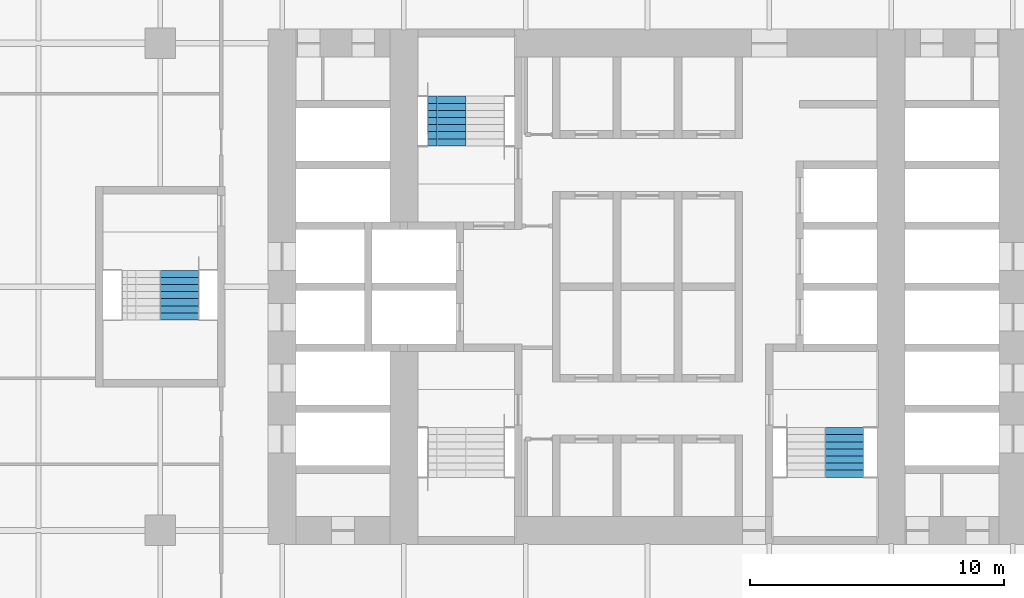
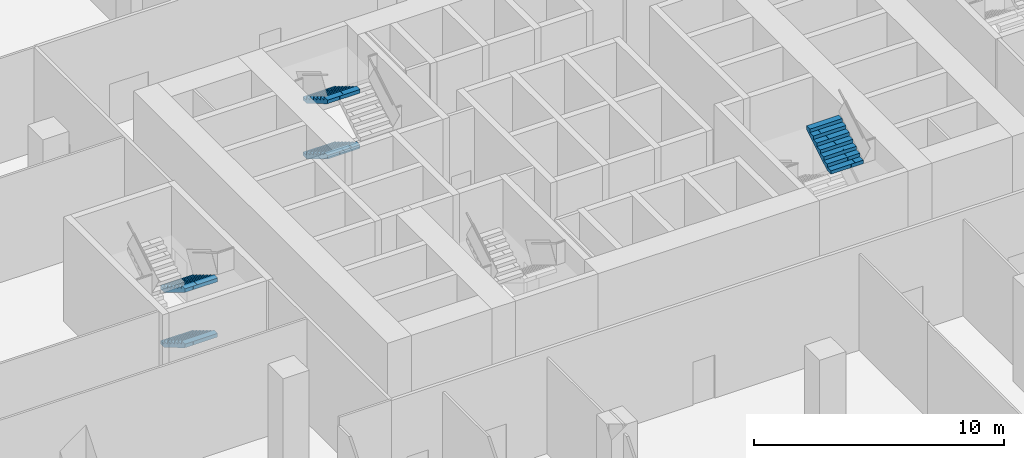
# One storey, part 26 of 34: 5 stair flights, 3 elements without a shape of their own.
"""IFC4 building model written with IfcOpenShell, lengths in metres."""

import ifcopenshell
import ifcopenshell.guid

model = None  # the IFC model being written
_history = None  # IfcOwnerHistory: only IFC2X3 demands one
_inside = {}  # id of a spatial element -> (the spatial element, [elements in it])
_under = {}  # id of a project, library or spatial element -> (it, [spatial elements below it])
_declared = {}  # id of a project -> (the project, [libraries it declares])
_typed = {}  # id of a type object -> (the type object, [elements of that type])
_made_of = {}  # id of a material, layer set ... -> (it, [elements and type objects made of it])


def new_model(schema):
    """Start an empty IFC model of exactly this schema.

    Asked for "IFC4X3", IfcOpenShell would pick the latest addendum, in which some entities
    have other attributes; the version numbers below select the first issue.
    IFC2X3 requires an IfcOwnerHistory on every rooted entity: one is made here for all.
    """
    global model, _history
    if schema == "IFC4X3":
        model = ifcopenshell.file(schema_version=(4, 3, 0, 0))
    else:
        model = ifcopenshell.file(schema=schema)
    _inside.clear()
    _under.clear()
    _declared.clear()
    _typed.clear()
    _made_of.clear()
    _history = None
    if model.schema == "IFC2X3":
        org = make("IfcOrganization", Name="unknown")
        user = make(
            "IfcPersonAndOrganization",
            ThePerson=make("IfcPerson", FamilyName="unknown"),
            TheOrganization=org,
        )
        app = make(
            "IfcApplication",
            ApplicationDeveloper=org,
            Version="unknown",
            ApplicationFullName="unknown",
            ApplicationIdentifier="unknown",
        )
        _history = make(
            "IfcOwnerHistory",
            OwningUser=user,
            OwningApplication=app,
            ChangeAction="ADDED",
            CreationDate=0,
        )
    return model


def make(cls, **values):
    """One entity of the class cls with the attributes given. An attribute that is None is left unset."""
    return model.create_entity(
        cls, **{name: value for name, value in values.items() if value is not None}
    )


def rooted(cls, **values):
    """An entity with a GlobalId (a new one), such as an element, a storey or a relation."""
    return make(cls, GlobalId=ifcopenshell.guid.new(), OwnerHistory=_history, **values)


def si_unit(unit_type, name, prefix=None):
    """IfcSIUnit, for example si_unit("LENGTHUNIT", "METRE", prefix="MILLI")."""
    return make("IfcSIUnit", UnitType=unit_type, Prefix=prefix, Name=name)


def assignment(units):
    """IfcUnitAssignment: the units of a project."""
    return None if units is None else make("IfcUnitAssignment", Units=units)


def point(xyz):
    """IfcCartesianPoint."""
    return None if xyz is None else make("IfcCartesianPoint", Coordinates=xyz)


def direction(xyz):
    """IfcDirection."""
    return None if xyz is None else make("IfcDirection", DirectionRatios=xyz)


def frame(location, z_axis=None, x_axis=None):
    """IfcAxis2Placement3D, a coordinate frame: its origin and axes. An axis left out is left unset."""
    return make(
        "IfcAxis2Placement3D",
        Location=point(location),
        Axis=direction(z_axis),
        RefDirection=direction(x_axis),
    )


def origin():
    """The frame at (0, 0, 0) with its axes left unset."""
    return frame((0.0, 0.0, 0.0))


def place(relative_to, where):
    """IfcLocalPlacement: puts the frame where relative to a parent placement (None: the world)."""
    return make(
        "IfcLocalPlacement", PlacementRelTo=relative_to, RelativePlacement=where
    )


def context(
    kind, dimensions, precision=None, world=None, true_north=None, identifier=None
):
    """IfcGeometricRepresentationContext, for example the 3D "Model" context."""
    return make(
        "IfcGeometricRepresentationContext",
        ContextIdentifier=identifier,
        ContextType=kind,
        CoordinateSpaceDimension=dimensions,
        Precision=precision,
        WorldCoordinateSystem=world,
        TrueNorth=true_north,
    )


def subcontext(parent, identifier, kind, view, scale=None):
    """IfcGeometricRepresentationSubContext, for example "Body" below "Model"."""
    return make(
        "IfcGeometricRepresentationSubContext",
        ContextIdentifier=identifier,
        ContextType=kind,
        ParentContext=parent,
        TargetScale=scale,
        TargetView=view,
    )


def project(units=None, contexts=None):
    """IfcProject with its units and contexts."""
    return rooted(
        "IfcProject",
        Name="project",
        RepresentationContexts=contexts,
        UnitsInContext=assignment(units),
    )


def spatial(cls, under=None, at=None, **own):
    """A site, building, storey or space (cls), placed at a placement, below another one or the project."""
    s = rooted(cls, ObjectPlacement=at, **own)
    if under is not None:
        _under.setdefault(under.id(), (under, []))[1].append(s)
    return s


def polyline(points):
    """IfcPolyline through the points."""
    return make("IfcPolyline", Points=[point(p) for p in points])


def outline(outer, holes=None, kind="AREA"):
    """IfcArbitraryClosedProfileDef: a profile drawn as a closed curve; with holes, ...WithVoids."""
    if holes is None:
        return make("IfcArbitraryClosedProfileDef", ProfileType=kind, OuterCurve=outer)
    return make(
        "IfcArbitraryProfileDefWithVoids",
        ProfileType=kind,
        OuterCurve=outer,
        InnerCurves=holes,
    )


def extrude(swept, where, along, depth):
    """IfcExtrudedAreaSolid: the profile swept, set in the frame where, extruded along a direction by depth."""
    return make(
        "IfcExtrudedAreaSolid",
        SweptArea=swept,
        Position=where,
        ExtrudedDirection=direction(along),
        Depth=depth,
    )


def shape(context_of_items, identifier, shape_type, items):
    """IfcShapeRepresentation: the items that make up one representation, for example the "Body"."""
    return make(
        "IfcShapeRepresentation",
        ContextOfItems=context_of_items,
        RepresentationIdentifier=identifier,
        RepresentationType=shape_type,
        Items=items,
    )


def material(Name=None, Category=None):
    """IfcMaterial."""
    return make("IfcMaterial", Name=Name, Category=Category)


def made_of(thing, what):
    """Note that an element or type object is made of a material, layer set ...; save() writes the relation."""
    if what is not None:
        _made_of.setdefault(what.id(), (what, []))[1].append(thing)
    return thing


def type_object(cls, material=None, **own):
    """A type object (cls), such as IfcWallType, which elements share."""
    return made_of(rooted(cls, **own), material)


def element(
    cls,
    number,
    at=None,
    inside=None,
    cuts=None,
    type_object=None,
    material=None,
    context=None,
    identifier="Body",
    shape_type=None,
    held_by="IfcProductDefinitionShape",
    body=None,
    shapes=None,
    **own,
):
    """One element of the class cls, such as IfcWall. Its Tag is "e" and its number.

    at: its placement. inside: the storey or other place that contains it. cuts: it is an
    opening in that element (IfcRelVoidsElement). A single representation is given by context,
    identifier, shape_type and body (its items); several are given by shapes. held_by: the class
    of the entity that holds the representations. save() writes the other relations.
    """
    e = rooted(cls, Tag="e%d" % number, ObjectPlacement=at, **own)
    if body is not None:
        shapes = [shape(context, identifier, shape_type, body)]
    if shapes is not None:
        e.Representation = make(held_by, Representations=shapes)
    if inside is not None:
        _inside.setdefault(inside.id(), (inside, []))[1].append(e)
    if cuts is not None:
        rooted(
            "IfcRelVoidsElement", RelatingBuildingElement=cuts, RelatedOpeningElement=e
        )
    if type_object is not None:
        _typed.setdefault(type_object.id(), (type_object, []))[1].append(e)
    return made_of(e, material)


def aggregate(whole, parts):
    """IfcRelAggregates: a whole, such as a stair, and the parts it consists of."""
    return rooted("IfcRelAggregates", RelatingObject=whole, RelatedObjects=parts)


def save(model, path):
    """Write the relations noted so far, then the file.

    IfcRelAggregates (storeys below a building ...), IfcRelContainedInSpatialStructure (elements
    in a storey), IfcRelDefinesByType, IfcRelAssociatesMaterial and IfcRelDeclares: one each for
    every whole, place, type object, material and project.
    """
    for whole, parts in _under.values():
        aggregate(whole, parts)
    for where, things in _inside.values():
        rooted(
            "IfcRelContainedInSpatialStructure",
            RelatedElements=things,
            RelatingStructure=where,
        )
    for kind, things in _typed.values():
        rooted("IfcRelDefinesByType", RelatedObjects=things, RelatingType=kind)
    for what, things in _made_of.values():
        rooted("IfcRelAssociatesMaterial", RelatedObjects=things, RelatingMaterial=what)
    for by, libraries in _declared.values():
        rooted("IfcRelDeclares", RelatingContext=by, RelatedDefinitions=libraries)
    model.write(path)


model = new_model("IFC4")

# Units and contexts
model_context = context("Model", 3, precision=1e-05, world=origin(), true_north=direction((0.0, 1.0)))
body_context = subcontext(model_context, "Body", "Model", "MODEL_VIEW")
ifc_project = project(units=[si_unit("LENGTHUNIT", "METRE"), si_unit("AREAUNIT", "SQUARE_METRE"), si_unit("VOLUMEUNIT", "CUBIC_METRE"), si_unit("PLANEANGLEUNIT", "RADIAN"), si_unit("MASSUNIT", "GRAM", prefix="KILO")], contexts=[model_context])

# Site, building, storey
site_placement = place(None, origin())
site = spatial("IfcSite", under=ifc_project, at=site_placement, CompositionType="ELEMENT")
building_placement = place(site_placement, origin())
building = spatial("IfcBuilding", under=site, at=building_placement, Name="Kolab Exchange Tower", CompositionType="ELEMENT")
storey_placement = place(building_placement, frame((0.0, 0.0, 7.0)))
storey = spatial("IfcBuildingStorey", under=building, at=storey_placement, Name="L01", CompositionType="ELEMENT", Elevation=7.0)

# Stair, stair flights
ifc_material = material(Name="Concrete C50/60", Category="concrete")
stair_type_1 = type_object("IfcStairType", Name="STAIR ST1 RISER 168.8", PredefinedType="DOUBLE_RETURN_STAIR", material=ifc_material)
stair_1_placement = place(storey_placement, origin())
stair_1 = element("IfcStair", 1, at=stair_1_placement, inside=storey, type_object=stair_type_1, Name="Stair 1", PredefinedType="DOUBLE_RETURN_STAIR")
stair_flight_type = type_object("IfcStairFlightType", Name="STAIR FLIGHT 1500 RISER 168.8", PredefinedType="STRAIGHT", material=ifc_material)
stair_flight_1_placement = place(storey_placement, frame((-7.909912109375, 7.510009765625, 1.35009765625), z_axis=(0.0, 0.0, 1.0), x_axis=(0.0, -1.0, 0.0)))
stair_flight_1 = element("IfcStairFlight", 2, at=stair_flight_1_placement, type_object=stair_flight_type, Name="ST1 flight 2", NumberOfRisers=8, NumberOfTreads=7, PredefinedType="STRAIGHT", RiserHeight=0.16875, TreadLength=0.28, context=body_context, shape_type="SweptSolid", body=[
    extrude(outline(polyline([(0.0, 0.0), (0.0, 0.168701171875), (0.280029296875, 0.168701171875), (0.280029296875, 0.33740234375), (0.56005859375, 0.33740234375), (0.56005859375, 0.50634765625), (0.840087890625, 0.50634765625), (0.840087890625, 0.675048828125), (1.1201171875, 0.675048828125), (1.1201171875, 0.84375), (1.39990234375, 0.84375), (1.39990234375, 1.012451171875), (1.679931640625, 1.012451171875), (1.679931640625, 1.18115234375), (1.9599609375, 1.18115234375), (1.9599609375, 1.35009765625), (1.9599609375, 1.00634765625), (0.29052734375, 0.0), (0.0, 0.0)])), frame((0.0, 0.75, 0.0), z_axis=(0.0, -1.0, 0.0), x_axis=(1.0, 0.0, 0.0)), (0.0, 0.0, 1.0), 0.185791015625),
    extrude(outline(polyline([(0.0, 0.0), (0.0, 0.168701171875), (0.280029296875, 0.168701171875), (0.280029296875, 0.33740234375), (0.56005859375, 0.33740234375), (0.56005859375, 0.50634765625), (0.840087890625, 0.50634765625), (0.840087890625, 0.675048828125), (1.1201171875, 0.675048828125), (1.1201171875, 0.84375), (1.39990234375, 0.84375), (1.39990234375, 1.012451171875), (1.679931640625, 1.012451171875), (1.679931640625, 1.18115234375), (1.9599609375, 1.18115234375), (1.9599609375, 1.35009765625), (1.9599609375, 1.00634765625), (0.29052734375, 0.0), (0.0, 0.0)])), frame((0.0, 0.562255859375, 0.0), z_axis=(0.0, -1.0, 0.0), x_axis=(1.0, 0.0, 0.0)), (0.0, 0.0, 1.0), 0.185791015625),
    extrude(outline(polyline([(0.0, 0.0), (0.0, 0.168701171875), (0.280029296875, 0.168701171875), (0.280029296875, 0.33740234375), (0.56005859375, 0.33740234375), (0.56005859375, 0.50634765625), (0.840087890625, 0.50634765625), (0.840087890625, 0.675048828125), (1.1201171875, 0.675048828125), (1.1201171875, 0.84375), (1.39990234375, 0.84375), (1.39990234375, 1.012451171875), (1.679931640625, 1.012451171875), (1.679931640625, 1.18115234375), (1.9599609375, 1.18115234375), (1.9599609375, 1.35009765625), (1.9599609375, 1.00634765625), (0.29052734375, 0.0), (0.0, 0.0)])), frame((0.0, 0.37451171875, 0.0), z_axis=(0.0, -1.0, 0.0), x_axis=(1.0, 0.0, 0.0)), (0.0, 0.0, 1.0), 0.185791015625),
    extrude(outline(polyline([(0.0, 0.0), (0.0, 0.168701171875), (0.280029296875, 0.168701171875), (0.280029296875, 0.33740234375), (0.56005859375, 0.33740234375), (0.56005859375, 0.50634765625), (0.840087890625, 0.50634765625), (0.840087890625, 0.675048828125), (1.1201171875, 0.675048828125), (1.1201171875, 0.84375), (1.39990234375, 0.84375), (1.39990234375, 1.012451171875), (1.679931640625, 1.012451171875), (1.679931640625, 1.18115234375), (1.9599609375, 1.18115234375), (1.9599609375, 1.35009765625), (1.9599609375, 1.00634765625), (0.29052734375, 0.0), (0.0, 0.0)])), frame((0.0, 0.186767578125, 0.0), z_axis=(0.0, -1.0, 0.0), x_axis=(1.0, 0.0, 0.0)), (0.0, 0.0, 1.0), 0.185791015625),
    extrude(outline(polyline([(0.0, 0.0), (0.0, 0.168701171875), (0.280029296875, 0.168701171875), (0.280029296875, 0.33740234375), (0.56005859375, 0.33740234375), (0.56005859375, 0.50634765625), (0.840087890625, 0.50634765625), (0.840087890625, 0.675048828125), (1.1201171875, 0.675048828125), (1.1201171875, 0.84375), (1.39990234375, 0.84375), (1.39990234375, 1.012451171875), (1.679931640625, 1.012451171875), (1.679931640625, 1.18115234375), (1.9599609375, 1.18115234375), (1.9599609375, 1.35009765625), (1.9599609375, 1.00634765625), (0.29052734375, 0.0), (0.0, 0.0)])), frame((0.0, -0.0009765625, 0.0), z_axis=(0.0, -1.0, 0.0), x_axis=(1.0, 0.0, 0.0)), (0.0, 0.0, 1.0), 0.185791015625),
    extrude(outline(polyline([(0.0, 0.0), (0.0, 0.168701171875), (0.280029296875, 0.168701171875), (0.280029296875, 0.33740234375), (0.56005859375, 0.33740234375), (0.56005859375, 0.50634765625), (0.840087890625, 0.50634765625), (0.840087890625, 0.675048828125), (1.1201171875, 0.675048828125), (1.1201171875, 0.84375), (1.39990234375, 0.84375), (1.39990234375, 1.012451171875), (1.679931640625, 1.012451171875), (1.679931640625, 1.18115234375), (1.9599609375, 1.18115234375), (1.9599609375, 1.35009765625), (1.9599609375, 1.00634765625), (0.29052734375, 0.0), (0.0, 0.0)])), frame((0.0, -0.188720703125, 0.0), z_axis=(0.0, -1.0, 0.0), x_axis=(1.0, 0.0, 0.0)), (0.0, 0.0, 1.0), 0.185791015625),
    extrude(outline(polyline([(0.0, 0.0), (0.0, 0.168701171875), (0.280029296875, 0.168701171875), (0.280029296875, 0.33740234375), (0.56005859375, 0.33740234375), (0.56005859375, 0.50634765625), (0.840087890625, 0.50634765625), (0.840087890625, 0.675048828125), (1.1201171875, 0.675048828125), (1.1201171875, 0.84375), (1.39990234375, 0.84375), (1.39990234375, 1.012451171875), (1.679931640625, 1.012451171875), (1.679931640625, 1.18115234375), (1.9599609375, 1.18115234375), (1.9599609375, 1.35009765625), (1.9599609375, 1.00634765625), (0.29052734375, 0.0), (0.0, 0.0)])), frame((0.0, -0.37646484375, 0.0), z_axis=(0.0, -1.0, 0.0), x_axis=(1.0, 0.0, 0.0)), (0.0, 0.0, 1.0), 0.185791015625),
    extrude(outline(polyline([(0.0, 0.0), (0.0, 0.168701171875), (0.280029296875, 0.168701171875), (0.280029296875, 0.33740234375), (0.56005859375, 0.33740234375), (0.56005859375, 0.50634765625), (0.840087890625, 0.50634765625), (0.840087890625, 0.675048828125), (1.1201171875, 0.675048828125), (1.1201171875, 0.84375), (1.39990234375, 0.84375), (1.39990234375, 1.012451171875), (1.679931640625, 1.012451171875), (1.679931640625, 1.18115234375), (1.9599609375, 1.18115234375), (1.9599609375, 1.35009765625), (1.9599609375, 1.00634765625), (0.29052734375, 0.0), (0.0, 0.0)])), frame((0.0, -0.564208984375, 0.0), z_axis=(0.0, -1.0, 0.0), x_axis=(1.0, 0.0, 0.0)), (0.0, 0.0, 1.0), 0.185791015625),
])
stair_flight_2_placement = place(storey_placement, frame((-7.909912109375, 7.510009765625, 4.050048828125), z_axis=(0.0, 0.0, 1.0), x_axis=(0.0, -1.0, 0.0)))
stair_flight_2 = element("IfcStairFlight", 3, at=stair_flight_2_placement, type_object=stair_flight_type, Name="ST1 flight 4", NumberOfRisers=8, NumberOfTreads=7, PredefinedType="STRAIGHT", RiserHeight=0.16875, TreadLength=0.28, context=body_context, shape_type="SweptSolid", body=[
    extrude(outline(polyline([(0.0, 0.0), (0.0, 0.168701171875), (0.280029296875, 0.168701171875), (0.280029296875, 0.33740234375), (0.56005859375, 0.33740234375), (0.56005859375, 0.50634765625), (0.840087890625, 0.50634765625), (0.840087890625, 0.675048828125), (1.1201171875, 0.675048828125), (1.1201171875, 0.84375), (1.39990234375, 0.84375), (1.39990234375, 1.012451171875), (1.679931640625, 1.012451171875), (1.679931640625, 1.18115234375), (1.9599609375, 1.18115234375), (1.9599609375, 1.35009765625), (1.9599609375, 1.00634765625), (0.29052734375, 0.0), (0.0, 0.0)])), frame((0.0, 0.75, 0.0), z_axis=(0.0, -1.0, 0.0), x_axis=(1.0, 0.0, 0.0)), (0.0, 0.0, 1.0), 0.185791015625),
    extrude(outline(polyline([(0.0, 0.0), (0.0, 0.168701171875), (0.280029296875, 0.168701171875), (0.280029296875, 0.33740234375), (0.56005859375, 0.33740234375), (0.56005859375, 0.50634765625), (0.840087890625, 0.50634765625), (0.840087890625, 0.675048828125), (1.1201171875, 0.675048828125), (1.1201171875, 0.84375), (1.39990234375, 0.84375), (1.39990234375, 1.012451171875), (1.679931640625, 1.012451171875), (1.679931640625, 1.18115234375), (1.9599609375, 1.18115234375), (1.9599609375, 1.35009765625), (1.9599609375, 1.00634765625), (0.29052734375, 0.0), (0.0, 0.0)])), frame((0.0, 0.562255859375, 0.0), z_axis=(0.0, -1.0, 0.0), x_axis=(1.0, 0.0, 0.0)), (0.0, 0.0, 1.0), 0.185791015625),
    extrude(outline(polyline([(0.0, 0.0), (0.0, 0.168701171875), (0.280029296875, 0.168701171875), (0.280029296875, 0.33740234375), (0.56005859375, 0.33740234375), (0.56005859375, 0.50634765625), (0.840087890625, 0.50634765625), (0.840087890625, 0.675048828125), (1.1201171875, 0.675048828125), (1.1201171875, 0.84375), (1.39990234375, 0.84375), (1.39990234375, 1.012451171875), (1.679931640625, 1.012451171875), (1.679931640625, 1.18115234375), (1.9599609375, 1.18115234375), (1.9599609375, 1.35009765625), (1.9599609375, 1.00634765625), (0.29052734375, 0.0), (0.0, 0.0)])), frame((0.0, 0.37451171875, 0.0), z_axis=(0.0, -1.0, 0.0), x_axis=(1.0, 0.0, 0.0)), (0.0, 0.0, 1.0), 0.185791015625),
    extrude(outline(polyline([(0.0, 0.0), (0.0, 0.168701171875), (0.280029296875, 0.168701171875), (0.280029296875, 0.33740234375), (0.56005859375, 0.33740234375), (0.56005859375, 0.50634765625), (0.840087890625, 0.50634765625), (0.840087890625, 0.675048828125), (1.1201171875, 0.675048828125), (1.1201171875, 0.84375), (1.39990234375, 0.84375), (1.39990234375, 1.012451171875), (1.679931640625, 1.012451171875), (1.679931640625, 1.18115234375), (1.9599609375, 1.18115234375), (1.9599609375, 1.35009765625), (1.9599609375, 1.00634765625), (0.29052734375, 0.0), (0.0, 0.0)])), frame((0.0, 0.186767578125, 0.0), z_axis=(0.0, -1.0, 0.0), x_axis=(1.0, 0.0, 0.0)), (0.0, 0.0, 1.0), 0.185791015625),
    extrude(outline(polyline([(0.0, 0.0), (0.0, 0.168701171875), (0.280029296875, 0.168701171875), (0.280029296875, 0.33740234375), (0.56005859375, 0.33740234375), (0.56005859375, 0.50634765625), (0.840087890625, 0.50634765625), (0.840087890625, 0.675048828125), (1.1201171875, 0.675048828125), (1.1201171875, 0.84375), (1.39990234375, 0.84375), (1.39990234375, 1.012451171875), (1.679931640625, 1.012451171875), (1.679931640625, 1.18115234375), (1.9599609375, 1.18115234375), (1.9599609375, 1.35009765625), (1.9599609375, 1.00634765625), (0.29052734375, 0.0), (0.0, 0.0)])), frame((0.0, -0.0009765625, 0.0), z_axis=(0.0, -1.0, 0.0), x_axis=(1.0, 0.0, 0.0)), (0.0, 0.0, 1.0), 0.185791015625),
    extrude(outline(polyline([(0.0, 0.0), (0.0, 0.168701171875), (0.280029296875, 0.168701171875), (0.280029296875, 0.33740234375), (0.56005859375, 0.33740234375), (0.56005859375, 0.50634765625), (0.840087890625, 0.50634765625), (0.840087890625, 0.675048828125), (1.1201171875, 0.675048828125), (1.1201171875, 0.84375), (1.39990234375, 0.84375), (1.39990234375, 1.012451171875), (1.679931640625, 1.012451171875), (1.679931640625, 1.18115234375), (1.9599609375, 1.18115234375), (1.9599609375, 1.35009765625), (1.9599609375, 1.00634765625), (0.29052734375, 0.0), (0.0, 0.0)])), frame((0.0, -0.188720703125, 0.0), z_axis=(0.0, -1.0, 0.0), x_axis=(1.0, 0.0, 0.0)), (0.0, 0.0, 1.0), 0.185791015625),
    extrude(outline(polyline([(0.0, 0.0), (0.0, 0.168701171875), (0.280029296875, 0.168701171875), (0.280029296875, 0.33740234375), (0.56005859375, 0.33740234375), (0.56005859375, 0.50634765625), (0.840087890625, 0.50634765625), (0.840087890625, 0.675048828125), (1.1201171875, 0.675048828125), (1.1201171875, 0.84375), (1.39990234375, 0.84375), (1.39990234375, 1.012451171875), (1.679931640625, 1.012451171875), (1.679931640625, 1.18115234375), (1.9599609375, 1.18115234375), (1.9599609375, 1.35009765625), (1.9599609375, 1.00634765625), (0.29052734375, 0.0), (0.0, 0.0)])), frame((0.0, -0.37646484375, 0.0), z_axis=(0.0, -1.0, 0.0), x_axis=(1.0, 0.0, 0.0)), (0.0, 0.0, 1.0), 0.185791015625),
    extrude(outline(polyline([(0.0, 0.0), (0.0, 0.168701171875), (0.280029296875, 0.168701171875), (0.280029296875, 0.33740234375), (0.56005859375, 0.33740234375), (0.56005859375, 0.50634765625), (0.840087890625, 0.50634765625), (0.840087890625, 0.675048828125), (1.1201171875, 0.675048828125), (1.1201171875, 0.84375), (1.39990234375, 0.84375), (1.39990234375, 1.012451171875), (1.679931640625, 1.012451171875), (1.679931640625, 1.18115234375), (1.9599609375, 1.18115234375), (1.9599609375, 1.35009765625), (1.9599609375, 1.00634765625), (0.29052734375, 0.0), (0.0, 0.0)])), frame((0.0, -0.564208984375, 0.0), z_axis=(0.0, -1.0, 0.0), x_axis=(1.0, 0.0, 0.0)), (0.0, 0.0, 1.0), 0.185791015625),
])
aggregate(stair_1, [stair_flight_1, stair_flight_2])

# Stair, stair flight
stair_type_2 = type_object("IfcStairType", Name="STAIR ST2 RISER 168.8", PredefinedType="DOUBLE_RETURN_STAIR", material=ifc_material)
stair_2_placement = place(storey_placement, origin())
stair_2 = element("IfcStair", 4, at=stair_2_placement, inside=storey, type_object=stair_type_2, Name="Stair 2", PredefinedType="DOUBLE_RETURN_STAIR")
stair_flight_3_placement = place(storey_placement, frame((7.760009765625, -7.510009765625, 4.050048828125), z_axis=(0.0, 0.0, 1.0), x_axis=(0.0, 1.0, 0.0)))
stair_flight_3 = element("IfcStairFlight", 5, at=stair_flight_3_placement, type_object=stair_flight_type, Name="ST2 flight 4", NumberOfRisers=8, NumberOfTreads=7, PredefinedType="STRAIGHT", RiserHeight=0.16875, TreadLength=0.28, context=body_context, shape_type="SweptSolid", body=[
    extrude(outline(polyline([(0.0, 0.0), (0.0, 0.168701171875), (0.280029296875, 0.168701171875), (0.280029296875, 0.33740234375), (0.56005859375, 0.33740234375), (0.56005859375, 0.50634765625), (0.840087890625, 0.50634765625), (0.840087890625, 0.675048828125), (1.1201171875, 0.675048828125), (1.1201171875, 0.84375), (1.39990234375, 0.84375), (1.39990234375, 1.012451171875), (1.679931640625, 1.012451171875), (1.679931640625, 1.18115234375), (1.9599609375, 1.18115234375), (1.9599609375, 1.35009765625), (1.9599609375, 1.00634765625), (0.29052734375, 0.0), (0.0, 0.0)])), frame((0.0, 0.75, 0.0), z_axis=(0.0, -1.0, 0.0), x_axis=(1.0, 0.0, 0.0)), (0.0, 0.0, 1.0), 0.185791015625),
    extrude(outline(polyline([(0.0, 0.0), (0.0, 0.168701171875), (0.280029296875, 0.168701171875), (0.280029296875, 0.33740234375), (0.56005859375, 0.33740234375), (0.56005859375, 0.50634765625), (0.840087890625, 0.50634765625), (0.840087890625, 0.675048828125), (1.1201171875, 0.675048828125), (1.1201171875, 0.84375), (1.39990234375, 0.84375), (1.39990234375, 1.012451171875), (1.679931640625, 1.012451171875), (1.679931640625, 1.18115234375), (1.9599609375, 1.18115234375), (1.9599609375, 1.35009765625), (1.9599609375, 1.00634765625), (0.29052734375, 0.0), (0.0, 0.0)])), frame((0.0, 0.562255859375, 0.0), z_axis=(0.0, -1.0, 0.0), x_axis=(1.0, 0.0, 0.0)), (0.0, 0.0, 1.0), 0.185791015625),
    extrude(outline(polyline([(0.0, 0.0), (0.0, 0.168701171875), (0.280029296875, 0.168701171875), (0.280029296875, 0.33740234375), (0.56005859375, 0.33740234375), (0.56005859375, 0.50634765625), (0.840087890625, 0.50634765625), (0.840087890625, 0.675048828125), (1.1201171875, 0.675048828125), (1.1201171875, 0.84375), (1.39990234375, 0.84375), (1.39990234375, 1.012451171875), (1.679931640625, 1.012451171875), (1.679931640625, 1.18115234375), (1.9599609375, 1.18115234375), (1.9599609375, 1.35009765625), (1.9599609375, 1.00634765625), (0.29052734375, 0.0), (0.0, 0.0)])), frame((0.0, 0.37451171875, 0.0), z_axis=(0.0, -1.0, 0.0), x_axis=(1.0, 0.0, 0.0)), (0.0, 0.0, 1.0), 0.185791015625),
    extrude(outline(polyline([(0.0, 0.0), (0.0, 0.168701171875), (0.280029296875, 0.168701171875), (0.280029296875, 0.33740234375), (0.56005859375, 0.33740234375), (0.56005859375, 0.50634765625), (0.840087890625, 0.50634765625), (0.840087890625, 0.675048828125), (1.1201171875, 0.675048828125), (1.1201171875, 0.84375), (1.39990234375, 0.84375), (1.39990234375, 1.012451171875), (1.679931640625, 1.012451171875), (1.679931640625, 1.18115234375), (1.9599609375, 1.18115234375), (1.9599609375, 1.35009765625), (1.9599609375, 1.00634765625), (0.29052734375, 0.0), (0.0, 0.0)])), frame((0.0, 0.186767578125, 0.0), z_axis=(0.0, -1.0, 0.0), x_axis=(1.0, 0.0, 0.0)), (0.0, 0.0, 1.0), 0.185791015625),
    extrude(outline(polyline([(0.0, 0.0), (0.0, 0.168701171875), (0.280029296875, 0.168701171875), (0.280029296875, 0.33740234375), (0.56005859375, 0.33740234375), (0.56005859375, 0.50634765625), (0.840087890625, 0.50634765625), (0.840087890625, 0.675048828125), (1.1201171875, 0.675048828125), (1.1201171875, 0.84375), (1.39990234375, 0.84375), (1.39990234375, 1.012451171875), (1.679931640625, 1.012451171875), (1.679931640625, 1.18115234375), (1.9599609375, 1.18115234375), (1.9599609375, 1.35009765625), (1.9599609375, 1.00634765625), (0.29052734375, 0.0), (0.0, 0.0)])), frame((0.0, -0.0009765625, 0.0), z_axis=(0.0, -1.0, 0.0), x_axis=(1.0, 0.0, 0.0)), (0.0, 0.0, 1.0), 0.185791015625),
    extrude(outline(polyline([(0.0, 0.0), (0.0, 0.168701171875), (0.280029296875, 0.168701171875), (0.280029296875, 0.33740234375), (0.56005859375, 0.33740234375), (0.56005859375, 0.50634765625), (0.840087890625, 0.50634765625), (0.840087890625, 0.675048828125), (1.1201171875, 0.675048828125), (1.1201171875, 0.84375), (1.39990234375, 0.84375), (1.39990234375, 1.012451171875), (1.679931640625, 1.012451171875), (1.679931640625, 1.18115234375), (1.9599609375, 1.18115234375), (1.9599609375, 1.35009765625), (1.9599609375, 1.00634765625), (0.29052734375, 0.0), (0.0, 0.0)])), frame((0.0, -0.188720703125, 0.0), z_axis=(0.0, -1.0, 0.0), x_axis=(1.0, 0.0, 0.0)), (0.0, 0.0, 1.0), 0.185791015625),
    extrude(outline(polyline([(0.0, 0.0), (0.0, 0.168701171875), (0.280029296875, 0.168701171875), (0.280029296875, 0.33740234375), (0.56005859375, 0.33740234375), (0.56005859375, 0.50634765625), (0.840087890625, 0.50634765625), (0.840087890625, 0.675048828125), (1.1201171875, 0.675048828125), (1.1201171875, 0.84375), (1.39990234375, 0.84375), (1.39990234375, 1.012451171875), (1.679931640625, 1.012451171875), (1.679931640625, 1.18115234375), (1.9599609375, 1.18115234375), (1.9599609375, 1.35009765625), (1.9599609375, 1.00634765625), (0.29052734375, 0.0), (0.0, 0.0)])), frame((0.0, -0.37646484375, 0.0), z_axis=(0.0, -1.0, 0.0), x_axis=(1.0, 0.0, 0.0)), (0.0, 0.0, 1.0), 0.185791015625),
    extrude(outline(polyline([(0.0, 0.0), (0.0, 0.168701171875), (0.280029296875, 0.168701171875), (0.280029296875, 0.33740234375), (0.56005859375, 0.33740234375), (0.56005859375, 0.50634765625), (0.840087890625, 0.50634765625), (0.840087890625, 0.675048828125), (1.1201171875, 0.675048828125), (1.1201171875, 0.84375), (1.39990234375, 0.84375), (1.39990234375, 1.012451171875), (1.679931640625, 1.012451171875), (1.679931640625, 1.18115234375), (1.9599609375, 1.18115234375), (1.9599609375, 1.35009765625), (1.9599609375, 1.00634765625), (0.29052734375, 0.0), (0.0, 0.0)])), frame((0.0, -0.564208984375, 0.0), z_axis=(0.0, -1.0, 0.0), x_axis=(1.0, 0.0, 0.0)), (0.0, 0.0, 1.0), 0.185791015625),
])
aggregate(stair_2, [stair_flight_3])

# Stair, stair flights
stair_type_3 = type_object("IfcStairType", Name="STAIR ST5 RISER 168.8", PredefinedType="DOUBLE_RETURN_STAIR", material=ifc_material)
stair_3_placement = place(storey_placement, origin())
stair_3 = element("IfcStair", 6, at=stair_3_placement, inside=storey, type_object=stair_type_3, Name="Stair 5", PredefinedType="DOUBLE_RETURN_STAIR")
stair_flight_4_placement = place(storey_placement, frame((-18.43994140625, 0.64990234375, 0.0), z_axis=(0.0, 0.0, 1.0), x_axis=(0.0, -1.0, 0.0)))
stair_flight_4 = element("IfcStairFlight", 7, at=stair_flight_4_placement, type_object=stair_flight_type, Name="ST5 flight 1", NumberOfRisers=8, NumberOfTreads=7, PredefinedType="STRAIGHT", RiserHeight=0.16875, TreadLength=0.28, context=body_context, shape_type="SweptSolid", body=[
    extrude(outline(polyline([(0.0, 0.0), (0.0, 0.168701171875), (0.280029296875, 0.168701171875), (0.280029296875, 0.33740234375), (0.56005859375, 0.33740234375), (0.56005859375, 0.50634765625), (0.840087890625, 0.50634765625), (0.840087890625, 0.675048828125), (1.1201171875, 0.675048828125), (1.1201171875, 0.84375), (1.39990234375, 0.84375), (1.39990234375, 1.012451171875), (1.679931640625, 1.012451171875), (1.679931640625, 1.18115234375), (1.9599609375, 1.18115234375), (1.9599609375, 1.35009765625), (1.9599609375, 1.00634765625), (0.29052734375, 0.0), (0.0, 0.0)])), frame((0.0, 0.75, 0.0), z_axis=(0.0, -1.0, 0.0), x_axis=(1.0, 0.0, 0.0)), (0.0, 0.0, 1.0), 0.185791015625),
    extrude(outline(polyline([(0.0, 0.0), (0.0, 0.168701171875), (0.280029296875, 0.168701171875), (0.280029296875, 0.33740234375), (0.56005859375, 0.33740234375), (0.56005859375, 0.50634765625), (0.840087890625, 0.50634765625), (0.840087890625, 0.675048828125), (1.1201171875, 0.675048828125), (1.1201171875, 0.84375), (1.39990234375, 0.84375), (1.39990234375, 1.012451171875), (1.679931640625, 1.012451171875), (1.679931640625, 1.18115234375), (1.9599609375, 1.18115234375), (1.9599609375, 1.35009765625), (1.9599609375, 1.00634765625), (0.29052734375, 0.0), (0.0, 0.0)])), frame((0.0, 0.562255859375, 0.0), z_axis=(0.0, -1.0, 0.0), x_axis=(1.0, 0.0, 0.0)), (0.0, 0.0, 1.0), 0.185791015625),
    extrude(outline(polyline([(0.0, 0.0), (0.0, 0.168701171875), (0.280029296875, 0.168701171875), (0.280029296875, 0.33740234375), (0.56005859375, 0.33740234375), (0.56005859375, 0.50634765625), (0.840087890625, 0.50634765625), (0.840087890625, 0.675048828125), (1.1201171875, 0.675048828125), (1.1201171875, 0.84375), (1.39990234375, 0.84375), (1.39990234375, 1.012451171875), (1.679931640625, 1.012451171875), (1.679931640625, 1.18115234375), (1.9599609375, 1.18115234375), (1.9599609375, 1.35009765625), (1.9599609375, 1.00634765625), (0.29052734375, 0.0), (0.0, 0.0)])), frame((0.0, 0.37451171875, 0.0), z_axis=(0.0, -1.0, 0.0), x_axis=(1.0, 0.0, 0.0)), (0.0, 0.0, 1.0), 0.185791015625),
    extrude(outline(polyline([(0.0, 0.0), (0.0, 0.168701171875), (0.280029296875, 0.168701171875), (0.280029296875, 0.33740234375), (0.56005859375, 0.33740234375), (0.56005859375, 0.50634765625), (0.840087890625, 0.50634765625), (0.840087890625, 0.675048828125), (1.1201171875, 0.675048828125), (1.1201171875, 0.84375), (1.39990234375, 0.84375), (1.39990234375, 1.012451171875), (1.679931640625, 1.012451171875), (1.679931640625, 1.18115234375), (1.9599609375, 1.18115234375), (1.9599609375, 1.35009765625), (1.9599609375, 1.00634765625), (0.29052734375, 0.0), (0.0, 0.0)])), frame((0.0, 0.186767578125, 0.0), z_axis=(0.0, -1.0, 0.0), x_axis=(1.0, 0.0, 0.0)), (0.0, 0.0, 1.0), 0.185791015625),
    extrude(outline(polyline([(0.0, 0.0), (0.0, 0.168701171875), (0.280029296875, 0.168701171875), (0.280029296875, 0.33740234375), (0.56005859375, 0.33740234375), (0.56005859375, 0.50634765625), (0.840087890625, 0.50634765625), (0.840087890625, 0.675048828125), (1.1201171875, 0.675048828125), (1.1201171875, 0.84375), (1.39990234375, 0.84375), (1.39990234375, 1.012451171875), (1.679931640625, 1.012451171875), (1.679931640625, 1.18115234375), (1.9599609375, 1.18115234375), (1.9599609375, 1.35009765625), (1.9599609375, 1.00634765625), (0.29052734375, 0.0), (0.0, 0.0)])), frame((0.0, -0.0009765625, 0.0), z_axis=(0.0, -1.0, 0.0), x_axis=(1.0, 0.0, 0.0)), (0.0, 0.0, 1.0), 0.185791015625),
    extrude(outline(polyline([(0.0, 0.0), (0.0, 0.168701171875), (0.280029296875, 0.168701171875), (0.280029296875, 0.33740234375), (0.56005859375, 0.33740234375), (0.56005859375, 0.50634765625), (0.840087890625, 0.50634765625), (0.840087890625, 0.675048828125), (1.1201171875, 0.675048828125), (1.1201171875, 0.84375), (1.39990234375, 0.84375), (1.39990234375, 1.012451171875), (1.679931640625, 1.012451171875), (1.679931640625, 1.18115234375), (1.9599609375, 1.18115234375), (1.9599609375, 1.35009765625), (1.9599609375, 1.00634765625), (0.29052734375, 0.0), (0.0, 0.0)])), frame((0.0, -0.188720703125, 0.0), z_axis=(0.0, -1.0, 0.0), x_axis=(1.0, 0.0, 0.0)), (0.0, 0.0, 1.0), 0.185791015625),
    extrude(outline(polyline([(0.0, 0.0), (0.0, 0.168701171875), (0.280029296875, 0.168701171875), (0.280029296875, 0.33740234375), (0.56005859375, 0.33740234375), (0.56005859375, 0.50634765625), (0.840087890625, 0.50634765625), (0.840087890625, 0.675048828125), (1.1201171875, 0.675048828125), (1.1201171875, 0.84375), (1.39990234375, 0.84375), (1.39990234375, 1.012451171875), (1.679931640625, 1.012451171875), (1.679931640625, 1.18115234375), (1.9599609375, 1.18115234375), (1.9599609375, 1.35009765625), (1.9599609375, 1.00634765625), (0.29052734375, 0.0), (0.0, 0.0)])), frame((0.0, -0.37646484375, 0.0), z_axis=(0.0, -1.0, 0.0), x_axis=(1.0, 0.0, 0.0)), (0.0, 0.0, 1.0), 0.185791015625),
    extrude(outline(polyline([(0.0, 0.0), (0.0, 0.168701171875), (0.280029296875, 0.168701171875), (0.280029296875, 0.33740234375), (0.56005859375, 0.33740234375), (0.56005859375, 0.50634765625), (0.840087890625, 0.50634765625), (0.840087890625, 0.675048828125), (1.1201171875, 0.675048828125), (1.1201171875, 0.84375), (1.39990234375, 0.84375), (1.39990234375, 1.012451171875), (1.679931640625, 1.012451171875), (1.679931640625, 1.18115234375), (1.9599609375, 1.18115234375), (1.9599609375, 1.35009765625), (1.9599609375, 1.00634765625), (0.29052734375, 0.0), (0.0, 0.0)])), frame((0.0, -0.564208984375, 0.0), z_axis=(0.0, -1.0, 0.0), x_axis=(1.0, 0.0, 0.0)), (0.0, 0.0, 1.0), 0.185791015625),
])
stair_flight_5_placement = place(storey_placement, frame((-18.43994140625, 0.64990234375, 2.699951171875), z_axis=(0.0, 0.0, 1.0), x_axis=(0.0, -1.0, 0.0)))
stair_flight_5 = element("IfcStairFlight", 8, at=stair_flight_5_placement, type_object=stair_flight_type, Name="ST5 flight 3", NumberOfRisers=8, NumberOfTreads=7, PredefinedType="STRAIGHT", RiserHeight=0.16875, TreadLength=0.28, context=body_context, shape_type="SweptSolid", body=[
    extrude(outline(polyline([(0.0, 0.0), (0.0, 0.168701171875), (0.280029296875, 0.168701171875), (0.280029296875, 0.33740234375), (0.56005859375, 0.33740234375), (0.56005859375, 0.50634765625), (0.840087890625, 0.50634765625), (0.840087890625, 0.675048828125), (1.1201171875, 0.675048828125), (1.1201171875, 0.84375), (1.39990234375, 0.84375), (1.39990234375, 1.012451171875), (1.679931640625, 1.012451171875), (1.679931640625, 1.18115234375), (1.9599609375, 1.18115234375), (1.9599609375, 1.35009765625), (1.9599609375, 1.00634765625), (0.29052734375, 0.0), (0.0, 0.0)])), frame((0.0, 0.75, 0.0), z_axis=(0.0, -1.0, 0.0), x_axis=(1.0, 0.0, 0.0)), (0.0, 0.0, 1.0), 0.185791015625),
    extrude(outline(polyline([(0.0, 0.0), (0.0, 0.168701171875), (0.280029296875, 0.168701171875), (0.280029296875, 0.33740234375), (0.56005859375, 0.33740234375), (0.56005859375, 0.50634765625), (0.840087890625, 0.50634765625), (0.840087890625, 0.675048828125), (1.1201171875, 0.675048828125), (1.1201171875, 0.84375), (1.39990234375, 0.84375), (1.39990234375, 1.012451171875), (1.679931640625, 1.012451171875), (1.679931640625, 1.18115234375), (1.9599609375, 1.18115234375), (1.9599609375, 1.35009765625), (1.9599609375, 1.00634765625), (0.29052734375, 0.0), (0.0, 0.0)])), frame((0.0, 0.562255859375, 0.0), z_axis=(0.0, -1.0, 0.0), x_axis=(1.0, 0.0, 0.0)), (0.0, 0.0, 1.0), 0.185791015625),
    extrude(outline(polyline([(0.0, 0.0), (0.0, 0.168701171875), (0.280029296875, 0.168701171875), (0.280029296875, 0.33740234375), (0.56005859375, 0.33740234375), (0.56005859375, 0.50634765625), (0.840087890625, 0.50634765625), (0.840087890625, 0.675048828125), (1.1201171875, 0.675048828125), (1.1201171875, 0.84375), (1.39990234375, 0.84375), (1.39990234375, 1.012451171875), (1.679931640625, 1.012451171875), (1.679931640625, 1.18115234375), (1.9599609375, 1.18115234375), (1.9599609375, 1.35009765625), (1.9599609375, 1.00634765625), (0.29052734375, 0.0), (0.0, 0.0)])), frame((0.0, 0.37451171875, 0.0), z_axis=(0.0, -1.0, 0.0), x_axis=(1.0, 0.0, 0.0)), (0.0, 0.0, 1.0), 0.185791015625),
    extrude(outline(polyline([(0.0, 0.0), (0.0, 0.168701171875), (0.280029296875, 0.168701171875), (0.280029296875, 0.33740234375), (0.56005859375, 0.33740234375), (0.56005859375, 0.50634765625), (0.840087890625, 0.50634765625), (0.840087890625, 0.675048828125), (1.1201171875, 0.675048828125), (1.1201171875, 0.84375), (1.39990234375, 0.84375), (1.39990234375, 1.012451171875), (1.679931640625, 1.012451171875), (1.679931640625, 1.18115234375), (1.9599609375, 1.18115234375), (1.9599609375, 1.35009765625), (1.9599609375, 1.00634765625), (0.29052734375, 0.0), (0.0, 0.0)])), frame((0.0, 0.186767578125, 0.0), z_axis=(0.0, -1.0, 0.0), x_axis=(1.0, 0.0, 0.0)), (0.0, 0.0, 1.0), 0.185791015625),
    extrude(outline(polyline([(0.0, 0.0), (0.0, 0.168701171875), (0.280029296875, 0.168701171875), (0.280029296875, 0.33740234375), (0.56005859375, 0.33740234375), (0.56005859375, 0.50634765625), (0.840087890625, 0.50634765625), (0.840087890625, 0.675048828125), (1.1201171875, 0.675048828125), (1.1201171875, 0.84375), (1.39990234375, 0.84375), (1.39990234375, 1.012451171875), (1.679931640625, 1.012451171875), (1.679931640625, 1.18115234375), (1.9599609375, 1.18115234375), (1.9599609375, 1.35009765625), (1.9599609375, 1.00634765625), (0.29052734375, 0.0), (0.0, 0.0)])), frame((0.0, -0.0009765625, 0.0), z_axis=(0.0, -1.0, 0.0), x_axis=(1.0, 0.0, 0.0)), (0.0, 0.0, 1.0), 0.185791015625),
    extrude(outline(polyline([(0.0, 0.0), (0.0, 0.168701171875), (0.280029296875, 0.168701171875), (0.280029296875, 0.33740234375), (0.56005859375, 0.33740234375), (0.56005859375, 0.50634765625), (0.840087890625, 0.50634765625), (0.840087890625, 0.675048828125), (1.1201171875, 0.675048828125), (1.1201171875, 0.84375), (1.39990234375, 0.84375), (1.39990234375, 1.012451171875), (1.679931640625, 1.012451171875), (1.679931640625, 1.18115234375), (1.9599609375, 1.18115234375), (1.9599609375, 1.35009765625), (1.9599609375, 1.00634765625), (0.29052734375, 0.0), (0.0, 0.0)])), frame((0.0, -0.188720703125, 0.0), z_axis=(0.0, -1.0, 0.0), x_axis=(1.0, 0.0, 0.0)), (0.0, 0.0, 1.0), 0.185791015625),
    extrude(outline(polyline([(0.0, 0.0), (0.0, 0.168701171875), (0.280029296875, 0.168701171875), (0.280029296875, 0.33740234375), (0.56005859375, 0.33740234375), (0.56005859375, 0.50634765625), (0.840087890625, 0.50634765625), (0.840087890625, 0.675048828125), (1.1201171875, 0.675048828125), (1.1201171875, 0.84375), (1.39990234375, 0.84375), (1.39990234375, 1.012451171875), (1.679931640625, 1.012451171875), (1.679931640625, 1.18115234375), (1.9599609375, 1.18115234375), (1.9599609375, 1.35009765625), (1.9599609375, 1.00634765625), (0.29052734375, 0.0), (0.0, 0.0)])), frame((0.0, -0.37646484375, 0.0), z_axis=(0.0, -1.0, 0.0), x_axis=(1.0, 0.0, 0.0)), (0.0, 0.0, 1.0), 0.185791015625),
    extrude(outline(polyline([(0.0, 0.0), (0.0, 0.168701171875), (0.280029296875, 0.168701171875), (0.280029296875, 0.33740234375), (0.56005859375, 0.33740234375), (0.56005859375, 0.50634765625), (0.840087890625, 0.50634765625), (0.840087890625, 0.675048828125), (1.1201171875, 0.675048828125), (1.1201171875, 0.84375), (1.39990234375, 0.84375), (1.39990234375, 1.012451171875), (1.679931640625, 1.012451171875), (1.679931640625, 1.18115234375), (1.9599609375, 1.18115234375), (1.9599609375, 1.35009765625), (1.9599609375, 1.00634765625), (0.29052734375, 0.0), (0.0, 0.0)])), frame((0.0, -0.564208984375, 0.0), z_axis=(0.0, -1.0, 0.0), x_axis=(1.0, 0.0, 0.0)), (0.0, 0.0, 1.0), 0.185791015625),
])
aggregate(stair_3, [stair_flight_4, stair_flight_5])

save(model, "model.ifc")
